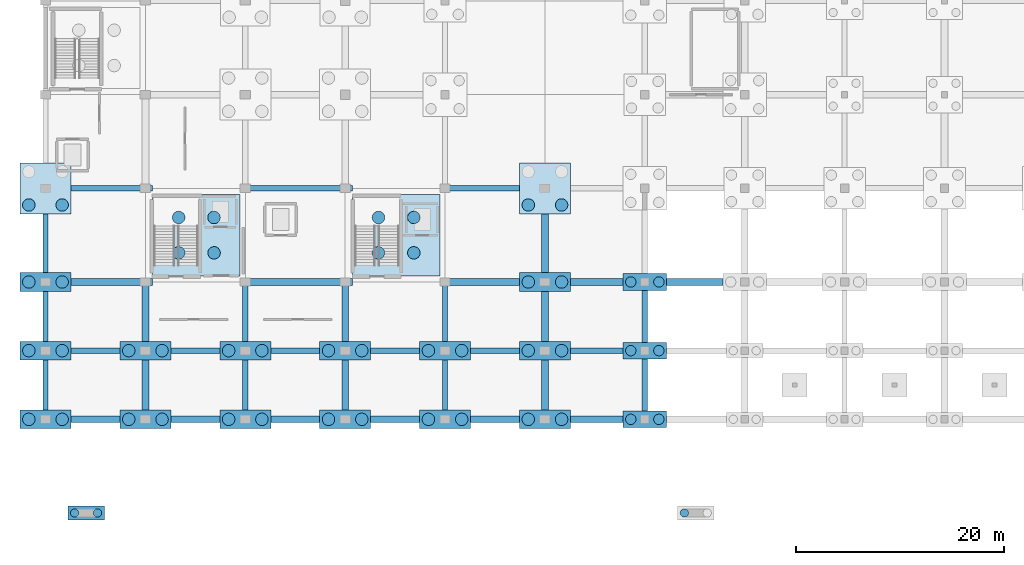
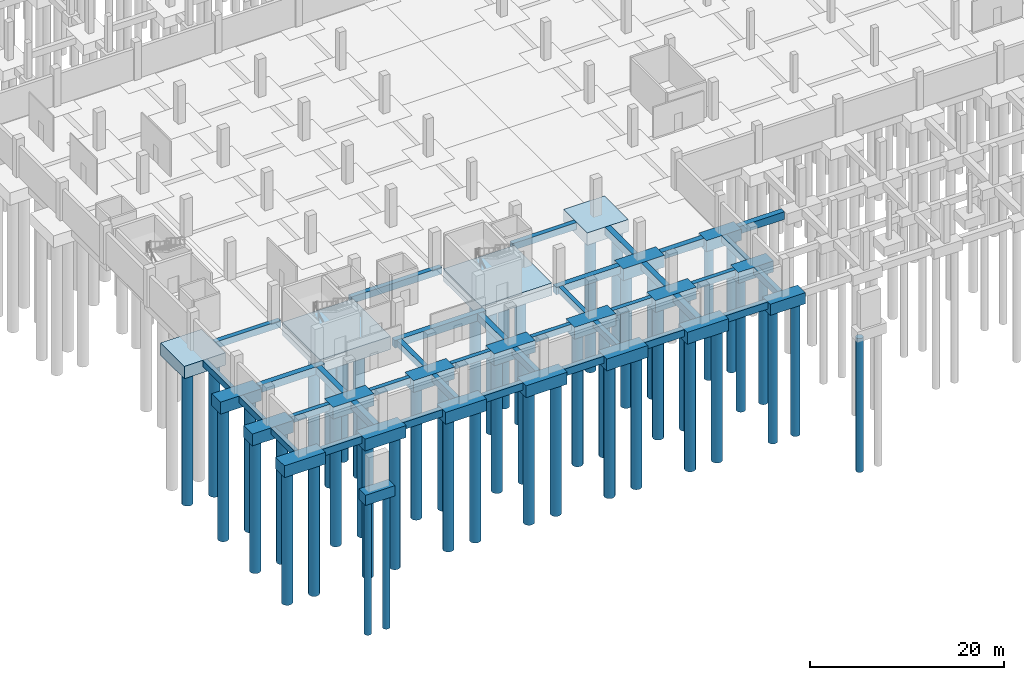
# One storey, part 1 of 39: 58 footings, 49 piles.
"""IFC4 building model written with IfcOpenShell, lengths in metres."""

import ifcopenshell
import ifcopenshell.guid

model = None  # the IFC model being written
_history = None  # IfcOwnerHistory: only IFC2X3 demands one
_inside = {}  # id of a spatial element -> (the spatial element, [elements in it])
_under = {}  # id of a project, library or spatial element -> (it, [spatial elements below it])
_declared = {}  # id of a project -> (the project, [libraries it declares])
_typed = {}  # id of a type object -> (the type object, [elements of that type])
_made_of = {}  # id of a material, layer set ... -> (it, [elements and type objects made of it])


def new_model(schema):
    """Start an empty IFC model of exactly this schema.

    Asked for "IFC4X3", IfcOpenShell would pick the latest addendum, in which some entities
    have other attributes; the version numbers below select the first issue.
    IFC2X3 requires an IfcOwnerHistory on every rooted entity: one is made here for all.
    """
    global model, _history
    if schema == "IFC4X3":
        model = ifcopenshell.file(schema_version=(4, 3, 0, 0))
    else:
        model = ifcopenshell.file(schema=schema)
    _inside.clear()
    _under.clear()
    _declared.clear()
    _typed.clear()
    _made_of.clear()
    _history = None
    if model.schema == "IFC2X3":
        org = make("IfcOrganization", Name="unknown")
        user = make(
            "IfcPersonAndOrganization",
            ThePerson=make("IfcPerson", FamilyName="unknown"),
            TheOrganization=org,
        )
        app = make(
            "IfcApplication",
            ApplicationDeveloper=org,
            Version="unknown",
            ApplicationFullName="unknown",
            ApplicationIdentifier="unknown",
        )
        _history = make(
            "IfcOwnerHistory",
            OwningUser=user,
            OwningApplication=app,
            ChangeAction="ADDED",
            CreationDate=0,
        )
    return model


def make(cls, **values):
    """One entity of the class cls with the attributes given. An attribute that is None is left unset."""
    return model.create_entity(
        cls, **{name: value for name, value in values.items() if value is not None}
    )


def rooted(cls, **values):
    """An entity with a GlobalId (a new one), such as an element, a storey or a relation."""
    return make(cls, GlobalId=ifcopenshell.guid.new(), OwnerHistory=_history, **values)


def si_unit(unit_type, name, prefix=None):
    """IfcSIUnit, for example si_unit("LENGTHUNIT", "METRE", prefix="MILLI")."""
    return make("IfcSIUnit", UnitType=unit_type, Prefix=prefix, Name=name)


def assignment(units):
    """IfcUnitAssignment: the units of a project."""
    return None if units is None else make("IfcUnitAssignment", Units=units)


def point(xyz):
    """IfcCartesianPoint."""
    return None if xyz is None else make("IfcCartesianPoint", Coordinates=xyz)


def direction(xyz):
    """IfcDirection."""
    return None if xyz is None else make("IfcDirection", DirectionRatios=xyz)


def frame(location, z_axis=None, x_axis=None):
    """IfcAxis2Placement3D, a coordinate frame: its origin and axes. An axis left out is left unset."""
    return make(
        "IfcAxis2Placement3D",
        Location=point(location),
        Axis=direction(z_axis),
        RefDirection=direction(x_axis),
    )


def frame_2d(location, x_axis=None):
    """IfcAxis2Placement2D, a coordinate frame in the plane: its origin and x axis."""
    return make(
        "IfcAxis2Placement2D", Location=point(location), RefDirection=direction(x_axis)
    )


def origin():
    """The frame at (0, 0, 0) with its axes left unset."""
    return frame((0.0, 0.0, 0.0))


def origin_2d():
    """The frame at (0, 0) in the plane with its x axis left unset."""
    return frame_2d((0.0, 0.0))


def place(relative_to, where):
    """IfcLocalPlacement: puts the frame where relative to a parent placement (None: the world)."""
    return make(
        "IfcLocalPlacement", PlacementRelTo=relative_to, RelativePlacement=where
    )


def context(
    kind, dimensions, precision=None, world=None, true_north=None, identifier=None
):
    """IfcGeometricRepresentationContext, for example the 3D "Model" context."""
    return make(
        "IfcGeometricRepresentationContext",
        ContextIdentifier=identifier,
        ContextType=kind,
        CoordinateSpaceDimension=dimensions,
        Precision=precision,
        WorldCoordinateSystem=world,
        TrueNorth=true_north,
    )


def subcontext(parent, identifier, kind, view, scale=None):
    """IfcGeometricRepresentationSubContext, for example "Body" below "Model"."""
    return make(
        "IfcGeometricRepresentationSubContext",
        ContextIdentifier=identifier,
        ContextType=kind,
        ParentContext=parent,
        TargetScale=scale,
        TargetView=view,
    )


def project(units=None, contexts=None):
    """IfcProject with its units and contexts."""
    return rooted(
        "IfcProject",
        Name="project",
        RepresentationContexts=contexts,
        UnitsInContext=assignment(units),
    )


def spatial(cls, under=None, at=None, **own):
    """A site, building, storey or space (cls), placed at a placement, below another one or the project."""
    s = rooted(cls, ObjectPlacement=at, **own)
    if under is not None:
        _under.setdefault(under.id(), (under, []))[1].append(s)
    return s


def polyline(points):
    """IfcPolyline through the points."""
    return make("IfcPolyline", Points=[point(p) for p in points])


def profile(cls, at=None, kind="AREA", **sizes):
    """A parametric profile (cls). Its sizes go by their IFC names, for example OverallWidth=200.0."""
    return make(cls, ProfileType=kind, Position=at, **sizes)


def rectangle(**sizes):
    """IfcRectangleProfileDef."""
    return profile("IfcRectangleProfileDef", **sizes)


def circle(**sizes):
    """IfcCircleProfileDef."""
    return profile("IfcCircleProfileDef", **sizes)


def outline(outer, holes=None, kind="AREA"):
    """IfcArbitraryClosedProfileDef: a profile drawn as a closed curve; with holes, ...WithVoids."""
    if holes is None:
        return make("IfcArbitraryClosedProfileDef", ProfileType=kind, OuterCurve=outer)
    return make(
        "IfcArbitraryProfileDefWithVoids",
        ProfileType=kind,
        OuterCurve=outer,
        InnerCurves=holes,
    )


def extrude(swept, where, along, depth):
    """IfcExtrudedAreaSolid: the profile swept, set in the frame where, extruded along a direction by depth."""
    return make(
        "IfcExtrudedAreaSolid",
        SweptArea=swept,
        Position=where,
        ExtrudedDirection=direction(along),
        Depth=depth,
    )


def shape(context_of_items, identifier, shape_type, items):
    """IfcShapeRepresentation: the items that make up one representation, for example the "Body"."""
    return make(
        "IfcShapeRepresentation",
        ContextOfItems=context_of_items,
        RepresentationIdentifier=identifier,
        RepresentationType=shape_type,
        Items=items,
    )


def material(Name=None, Category=None):
    """IfcMaterial."""
    return make("IfcMaterial", Name=Name, Category=Category)


def material_profile(
    of_material, cross_section, Name=None, Category=None, Priority=None
):
    """IfcMaterialProfile: a cross section and its material."""
    return make(
        "IfcMaterialProfile",
        Name=Name,
        Material=of_material,
        Profile=cross_section,
        Priority=Priority,
        Category=Category,
    )


def profile_set(profiles, Name=None, composite=None):
    """IfcMaterialProfileSet."""
    return make(
        "IfcMaterialProfileSet",
        Name=Name,
        MaterialProfiles=profiles,
        CompositeProfile=composite,
    )


def made_of(thing, what):
    """Note that an element or type object is made of a material, layer set ...; save() writes the relation."""
    if what is not None:
        _made_of.setdefault(what.id(), (what, []))[1].append(thing)
    return thing


def type_object(cls, material=None, **own):
    """A type object (cls), such as IfcWallType, which elements share."""
    return made_of(rooted(cls, **own), material)


def element(
    cls,
    number,
    at=None,
    inside=None,
    cuts=None,
    type_object=None,
    material=None,
    context=None,
    identifier="Body",
    shape_type=None,
    held_by="IfcProductDefinitionShape",
    body=None,
    shapes=None,
    **own,
):
    """One element of the class cls, such as IfcWall. Its Tag is "e" and its number.

    at: its placement. inside: the storey or other place that contains it. cuts: it is an
    opening in that element (IfcRelVoidsElement). A single representation is given by context,
    identifier, shape_type and body (its items); several are given by shapes. held_by: the class
    of the entity that holds the representations. save() writes the other relations.
    """
    e = rooted(cls, Tag="e%d" % number, ObjectPlacement=at, **own)
    if body is not None:
        shapes = [shape(context, identifier, shape_type, body)]
    if shapes is not None:
        e.Representation = make(held_by, Representations=shapes)
    if inside is not None:
        _inside.setdefault(inside.id(), (inside, []))[1].append(e)
    if cuts is not None:
        rooted(
            "IfcRelVoidsElement", RelatingBuildingElement=cuts, RelatedOpeningElement=e
        )
    if type_object is not None:
        _typed.setdefault(type_object.id(), (type_object, []))[1].append(e)
    return made_of(e, material)


def aggregate(whole, parts):
    """IfcRelAggregates: a whole, such as a stair, and the parts it consists of."""
    return rooted("IfcRelAggregates", RelatingObject=whole, RelatedObjects=parts)


def save(model, path):
    """Write the relations noted so far, then the file.

    IfcRelAggregates (storeys below a building ...), IfcRelContainedInSpatialStructure (elements
    in a storey), IfcRelDefinesByType, IfcRelAssociatesMaterial and IfcRelDeclares: one each for
    every whole, place, type object, material and project.
    """
    for whole, parts in _under.values():
        aggregate(whole, parts)
    for where, things in _inside.values():
        rooted(
            "IfcRelContainedInSpatialStructure",
            RelatedElements=things,
            RelatingStructure=where,
        )
    for kind, things in _typed.values():
        rooted("IfcRelDefinesByType", RelatedObjects=things, RelatingType=kind)
    for what, things in _made_of.values():
        rooted("IfcRelAssociatesMaterial", RelatedObjects=things, RelatingMaterial=what)
    for by, libraries in _declared.values():
        rooted("IfcRelDeclares", RelatingContext=by, RelatedDefinitions=libraries)
    model.write(path)


model = new_model("IFC4")

# Units and contexts
model_context = context("Model", 3, precision=1e-05, world=origin(), true_north=direction((0.0, 1.0)))
body_context = subcontext(model_context, "Body", "Model", "MODEL_VIEW")
ifc_project = project(units=[si_unit("LENGTHUNIT", "METRE"), si_unit("AREAUNIT", "SQUARE_METRE"), si_unit("VOLUMEUNIT", "CUBIC_METRE"), si_unit("PLANEANGLEUNIT", "RADIAN"), si_unit("MASSUNIT", "GRAM", prefix="KILO")], contexts=[model_context])

# Site, building, storey
site_placement = place(None, origin())
site = spatial("IfcSite", under=ifc_project, at=site_placement, CompositionType="ELEMENT")
building_placement = place(site_placement, origin())
building = spatial("IfcBuilding", under=site, at=building_placement, Name="Zarnetskaya Central Station", CompositionType="ELEMENT")
storey_placement = place(building_placement, frame((0.0, 0.0, -4.800048828125)))
storey = spatial("IfcBuildingStorey", under=building, at=storey_placement, Name="B1", CompositionType="ELEMENT", Elevation=-4.800048828125)

# Footings
ifc_material_1 = material(Name="Concrete C30/37", Category="concrete")
footing_type_1 = type_object("IfcFootingType", Name="FB-500x800", PredefinedType="FOOTING_BEAM", material=ifc_material_1)
footing_1_placement = place(storey_placement, frame((0.0, 0.0, -0.800048828125)))
element("IfcFooting", 1, at=footing_1_placement, inside=storey, type_object=footing_type_1, Name="Footing tie beam 2 A-B", PredefinedType="FOOTING_BEAM", context=body_context, shape_type="SweptSolid", body=[
    extrude(outline(polyline([(2.449951171875, 6.35009765625), (7.14990234375, 6.35009765625), (7.14990234375, 6.85009765625), (2.449951171875, 6.85009765625), (2.449951171875, 6.35009765625)])), origin(), (0.0, 0.0, 1.0), 0.800048828125),
])
footing_2_placement = place(storey_placement, frame((0.0, 0.0, -0.800048828125)))
element("IfcFooting", 2, at=footing_2_placement, inside=storey, type_object=footing_type_1, Name="Footing tie beam 2 B-C", PredefinedType="FOOTING_BEAM", context=body_context, shape_type="SweptSolid", body=[
    extrude(outline(polyline([(12.050048828125, 6.35009765625), (16.75, 6.35009765625), (16.75, 6.85009765625), (12.050048828125, 6.85009765625), (12.050048828125, 6.35009765625)])), origin(), (0.0, 0.0, 1.0), 0.800048828125),
])
footing_3_placement = place(storey_placement, frame((0.0, 0.0, -0.800048828125)))
element("IfcFooting", 3, at=footing_3_placement, inside=storey, type_object=footing_type_1, Name="Footing tie beam 2 C-D", PredefinedType="FOOTING_BEAM", context=body_context, shape_type="SweptSolid", body=[
    extrude(outline(polyline([(21.64990234375, 6.35009765625), (26.35009765625, 6.35009765625), (26.35009765625, 6.85009765625), (21.64990234375, 6.85009765625), (21.64990234375, 6.35009765625)])), origin(), (0.0, 0.0, 1.0), 0.800048828125),
])
footing_4_placement = place(storey_placement, frame((0.0, 0.0, -0.800048828125)))
element("IfcFooting", 4, at=footing_4_placement, inside=storey, type_object=footing_type_1, Name="Footing tie beam 2 D-E", PredefinedType="FOOTING_BEAM", context=body_context, shape_type="SweptSolid", body=[
    extrude(outline(polyline([(31.25, 6.35009765625), (35.949951171875, 6.35009765625), (35.949951171875, 6.85009765625), (31.25, 6.85009765625), (31.25, 6.35009765625)])), origin(), (0.0, 0.0, 1.0), 0.800048828125),
])
footing_5_placement = place(storey_placement, frame((0.0, 0.0, -0.800048828125)))
element("IfcFooting", 5, at=footing_5_placement, inside=storey, type_object=footing_type_1, Name="Footing tie beam 2 E-F", PredefinedType="FOOTING_BEAM", context=body_context, shape_type="SweptSolid", body=[
    extrude(outline(polyline([(40.85009765625, 6.35009765625), (45.550048828125, 6.35009765625), (45.550048828125, 6.85009765625), (40.85009765625, 6.85009765625), (40.85009765625, 6.35009765625)])), origin(), (0.0, 0.0, 1.0), 0.800048828125),
])
footing_6_placement = place(storey_placement, frame((0.0, 0.0, -0.800048828125)))
element("IfcFooting", 6, at=footing_6_placement, inside=storey, type_object=footing_type_1, Name="Footing tie beam 2 F-G", PredefinedType="FOOTING_BEAM", context=body_context, shape_type="SweptSolid", body=[
    extrude(outline(polyline([(50.449951171875, 6.35009765625), (55.5, 6.35009765625), (55.5, 6.85009765625), (50.449951171875, 6.85009765625), (50.449951171875, 6.35009765625)])), origin(), (0.0, 0.0, 1.0), 0.800048828125),
])
footing_7_placement = place(storey_placement, frame((0.0, 0.0, -0.800048828125)))
element("IfcFooting", 7, at=footing_7_placement, inside=storey, type_object=footing_type_1, Name="Footing tie beam A 1-2", PredefinedType="FOOTING_BEAM", context=body_context, shape_type="SweptSolid", body=[
    extrude(outline(polyline([(-0.25, 0.89990234375), (0.25, 0.89990234375), (0.25, 5.699951171875), (-0.25, 5.699951171875), (-0.25, 0.89990234375)])), origin(), (0.0, 0.0, 1.0), 0.800048828125),
])
footing_8_placement = place(storey_placement, frame((0.0, 0.0, -0.800048828125)))
element("IfcFooting", 8, at=footing_8_placement, inside=storey, type_object=footing_type_1, Name="Footing tie beam A 2-3", PredefinedType="FOOTING_BEAM", context=body_context, shape_type="SweptSolid", body=[
    extrude(outline(polyline([(-0.25, 7.5), (0.25, 7.5), (0.25, 12.300048828125), (-0.25, 12.300048828125), (-0.25, 7.5)])), origin(), (0.0, 0.0, 1.0), 0.800048828125),
])
footing_9_placement = place(storey_placement, frame((0.0, 0.0, -0.800048828125)))
element("IfcFooting", 9, at=footing_9_placement, inside=storey, type_object=footing_type_1, Name="Footing tie beam A 3-4", PredefinedType="FOOTING_BEAM", context=body_context, shape_type="SweptSolid", body=[
    extrude(outline(polyline([(-0.25, 14.10009765625), (0.25, 14.10009765625), (0.25, 19.75), (-0.25, 19.75), (-0.25, 14.10009765625)])), origin(), (0.0, 0.0, 1.0), 0.800048828125),
])
footing_10_placement = place(storey_placement, frame((0.0, 0.0, -0.800048828125)))
element("IfcFooting", 10, at=footing_10_placement, inside=storey, type_object=footing_type_1, Name="Footing tie beam E 1-2", PredefinedType="FOOTING_BEAM", context=body_context, shape_type="SweptSolid", body=[
    extrude(outline(polyline([(38.14990234375, 0.89990234375), (38.64990234375, 0.89990234375), (38.64990234375, 5.699951171875), (38.14990234375, 5.699951171875), (38.14990234375, 0.89990234375)])), origin(), (0.0, 0.0, 1.0), 0.800048828125),
])
footing_11_placement = place(storey_placement, frame((0.0, 0.0, -0.800048828125)))
element("IfcFooting", 11, at=footing_11_placement, inside=storey, type_object=footing_type_1, Name="Footing tie beam E 2-3", PredefinedType="FOOTING_BEAM", context=body_context, shape_type="SweptSolid", body=[
    extrude(outline(polyline([(38.14990234375, 7.5), (38.64990234375, 7.5), (38.64990234375, 12.875), (38.14990234375, 12.875), (38.14990234375, 7.5)])), origin(), (0.0, 0.0, 1.0), 0.800048828125),
])
footing_type_2 = type_object("IfcFootingType", Name="FB-550x850", PredefinedType="FOOTING_BEAM", material=ifc_material_1)
footing_12_placement = place(storey_placement, frame((0.0, 0.0, -0.849853515625)))
element("IfcFooting", 12, at=footing_12_placement, inside=storey, type_object=footing_type_2, Name="Footing tie beam 4 A-B", PredefinedType="FOOTING_BEAM", context=body_context, shape_type="SweptSolid", body=[
    extrude(outline(polyline([(2.449951171875, 21.925048828125), (10.300048828125, 21.925048828125), (10.300048828125, 22.47509765625), (2.449951171875, 22.47509765625), (2.449951171875, 21.925048828125)])), origin(), (0.0, 0.0, 1.0), 0.849853515625),
])
footing_13_placement = place(storey_placement, frame((0.0, 0.0, -0.849853515625)))
element("IfcFooting", 13, at=footing_13_placement, inside=storey, type_object=footing_type_2, Name="Footing tie beam 4 C-D", PredefinedType="FOOTING_BEAM", context=body_context, shape_type="SweptSolid", body=[
    extrude(outline(polyline([(18.699951171875, 21.925048828125), (29.5, 21.925048828125), (29.5, 22.47509765625), (18.699951171875, 22.47509765625), (18.699951171875, 21.925048828125)])), origin(), (0.0, 0.0, 1.0), 0.849853515625),
])
footing_14_placement = place(storey_placement, frame((0.0, 0.0, -0.849853515625)))
element("IfcFooting", 14, at=footing_14_placement, inside=storey, type_object=footing_type_2, Name="Footing tie beam 4 E-F", PredefinedType="FOOTING_BEAM", context=body_context, shape_type="SweptSolid", body=[
    extrude(outline(polyline([(37.89990234375, 21.925048828125), (45.550048828125, 21.925048828125), (45.550048828125, 22.47509765625), (37.89990234375, 22.47509765625), (37.89990234375, 21.925048828125)])), origin(), (0.0, 0.0, 1.0), 0.849853515625),
])
footing_15_placement = place(storey_placement, frame((0.0, 0.0, -0.849853515625)))
element("IfcFooting", 15, at=footing_15_placement, inside=storey, type_object=footing_type_2, Name="Footing tie beam C 1-2", PredefinedType="FOOTING_BEAM", context=body_context, shape_type="SweptSolid", body=[
    extrude(outline(polyline([(18.925048828125, 0.89990234375), (19.47509765625, 0.89990234375), (19.47509765625, 5.699951171875), (18.925048828125, 5.699951171875), (18.925048828125, 0.89990234375)])), origin(), (0.0, 0.0, 1.0), 0.849853515625),
])
footing_16_placement = place(storey_placement, frame((0.0, 0.0, -0.849853515625)))
element("IfcFooting", 16, at=footing_16_placement, inside=storey, type_object=footing_type_2, Name="Footing tie beam C 2-3", PredefinedType="FOOTING_BEAM", context=body_context, shape_type="SweptSolid", body=[
    extrude(outline(polyline([(18.925048828125, 7.5), (19.47509765625, 7.5), (19.47509765625, 12.875), (18.925048828125, 12.875), (18.925048828125, 7.5)])), origin(), (0.0, 0.0, 1.0), 0.849853515625),
])
footing_17_placement = place(storey_placement, frame((0.0, 0.0, -0.849853515625)))
element("IfcFooting", 17, at=footing_17_placement, inside=storey, type_object=footing_type_2, Name="Footing tie beam G 1-2", PredefinedType="FOOTING_BEAM", context=body_context, shape_type="SweptSolid", body=[
    extrude(outline(polyline([(57.324951171875, 0.800048828125), (57.875, 0.800048828125), (57.875, 5.800048828125), (57.324951171875, 5.800048828125), (57.324951171875, 0.800048828125)])), origin(), (0.0, 0.0, 1.0), 0.849853515625),
])
footing_18_placement = place(storey_placement, frame((0.0, 0.0, -0.849853515625)))
element("IfcFooting", 18, at=footing_18_placement, inside=storey, type_object=footing_type_2, Name="Footing tie beam G 2-3", PredefinedType="FOOTING_BEAM", context=body_context, shape_type="SweptSolid", body=[
    extrude(outline(polyline([(57.324951171875, 7.39990234375), (57.875, 7.39990234375), (57.875, 12.39990234375), (57.324951171875, 12.39990234375), (57.324951171875, 7.39990234375)])), origin(), (0.0, 0.0, 1.0), 0.849853515625),
])
footing_type_3 = type_object("IfcFootingType", Name="FB-600x900", PredefinedType="FOOTING_BEAM", material=ifc_material_1)
footing_19_placement = place(storey_placement, frame((0.0, 0.0, -0.89990234375)))
element("IfcFooting", 19, at=footing_19_placement, inside=storey, type_object=footing_type_3, Name="Footing tie beam 1 A-B", PredefinedType="FOOTING_BEAM", context=body_context, shape_type="SweptSolid", body=[
    extrude(outline(polyline([(2.449951171875, -0.300048828125), (7.14990234375, -0.300048828125), (7.14990234375, 0.300048828125), (2.449951171875, 0.300048828125), (2.449951171875, -0.300048828125)])), origin(), (0.0, 0.0, 1.0), 0.89990234375),
])
footing_20_placement = place(storey_placement, frame((0.0, 0.0, -0.89990234375)))
element("IfcFooting", 20, at=footing_20_placement, inside=storey, type_object=footing_type_3, Name="Footing tie beam 1 B-C", PredefinedType="FOOTING_BEAM", context=body_context, shape_type="SweptSolid", body=[
    extrude(outline(polyline([(12.050048828125, -0.300048828125), (16.75, -0.300048828125), (16.75, 0.300048828125), (12.050048828125, 0.300048828125), (12.050048828125, -0.300048828125)])), origin(), (0.0, 0.0, 1.0), 0.89990234375),
])
footing_21_placement = place(storey_placement, frame((0.0, 0.0, -0.89990234375)))
element("IfcFooting", 21, at=footing_21_placement, inside=storey, type_object=footing_type_3, Name="Footing tie beam 1 C-D", PredefinedType="FOOTING_BEAM", context=body_context, shape_type="SweptSolid", body=[
    extrude(outline(polyline([(21.64990234375, -0.300048828125), (26.35009765625, -0.300048828125), (26.35009765625, 0.300048828125), (21.64990234375, 0.300048828125), (21.64990234375, -0.300048828125)])), origin(), (0.0, 0.0, 1.0), 0.89990234375),
])
footing_22_placement = place(storey_placement, frame((0.0, 0.0, -0.89990234375)))
element("IfcFooting", 22, at=footing_22_placement, inside=storey, type_object=footing_type_3, Name="Footing tie beam 1 D-E", PredefinedType="FOOTING_BEAM", context=body_context, shape_type="SweptSolid", body=[
    extrude(outline(polyline([(31.25, -0.300048828125), (35.949951171875, -0.300048828125), (35.949951171875, 0.300048828125), (31.25, 0.300048828125), (31.25, -0.300048828125)])), origin(), (0.0, 0.0, 1.0), 0.89990234375),
])
footing_23_placement = place(storey_placement, frame((0.0, 0.0, -0.89990234375)))
element("IfcFooting", 23, at=footing_23_placement, inside=storey, type_object=footing_type_3, Name="Footing tie beam 1 E-F", PredefinedType="FOOTING_BEAM", context=body_context, shape_type="SweptSolid", body=[
    extrude(outline(polyline([(40.85009765625, -0.300048828125), (45.550048828125, -0.300048828125), (45.550048828125, 0.300048828125), (40.85009765625, 0.300048828125), (40.85009765625, -0.300048828125)])), origin(), (0.0, 0.0, 1.0), 0.89990234375),
])
footing_24_placement = place(storey_placement, frame((0.0, 0.0, -0.89990234375)))
element("IfcFooting", 24, at=footing_24_placement, inside=storey, type_object=footing_type_3, Name="Footing tie beam 1 F-G", PredefinedType="FOOTING_BEAM", context=body_context, shape_type="SweptSolid", body=[
    extrude(outline(polyline([(50.449951171875, -0.300048828125), (55.5, -0.300048828125), (55.5, 0.300048828125), (50.449951171875, 0.300048828125), (50.449951171875, -0.300048828125)])), origin(), (0.0, 0.0, 1.0), 0.89990234375),
])
footing_25_placement = place(storey_placement, frame((0.0, 0.0, -0.89990234375)))
element("IfcFooting", 25, at=footing_25_placement, inside=storey, type_object=footing_type_3, Name="Footing tie beam D 1-2", PredefinedType="FOOTING_BEAM", context=body_context, shape_type="SweptSolid", body=[
    extrude(outline(polyline([(28.5, 0.89990234375), (29.10009765625, 0.89990234375), (29.10009765625, 5.699951171875), (28.5, 5.699951171875), (28.5, 0.89990234375)])), origin(), (0.0, 0.0, 1.0), 0.89990234375),
])
footing_26_placement = place(storey_placement, frame((0.0, 0.0, -0.89990234375)))
element("IfcFooting", 26, at=footing_26_placement, inside=storey, type_object=footing_type_3, Name="Footing tie beam D 2-3", PredefinedType="FOOTING_BEAM", context=body_context, shape_type="SweptSolid", body=[
    extrude(outline(polyline([(28.5, 7.5), (29.10009765625, 7.5), (29.10009765625, 12.875), (28.5, 12.875), (28.5, 7.5)])), origin(), (0.0, 0.0, 1.0), 0.89990234375),
])
footing_type_4 = type_object("IfcFootingType", Name="FB-650x950", PredefinedType="FOOTING_BEAM", material=ifc_material_1)
footing_27_placement = place(storey_placement, frame((0.0, 0.0, -0.949951171875)))
element("IfcFooting", 27, at=footing_27_placement, inside=storey, type_object=footing_type_4, Name="Footing tie beam 3 A-B", PredefinedType="FOOTING_BEAM", context=body_context, shape_type="SweptSolid", body=[
    extrude(outline(polyline([(2.449951171875, 12.875), (10.300048828125, 12.875), (10.300048828125, 13.52490234375), (2.449951171875, 13.52490234375), (2.449951171875, 12.875)])), origin(), (0.0, 0.0, 1.0), 0.949951171875),
])
footing_28_placement = place(storey_placement, frame((0.0, 0.0, -0.949951171875)))
element("IfcFooting", 28, at=footing_28_placement, inside=storey, type_object=footing_type_4, Name="Footing tie beam 3 C-D", PredefinedType="FOOTING_BEAM", context=body_context, shape_type="SweptSolid", body=[
    extrude(outline(polyline([(18.699951171875, 12.875), (29.5, 12.875), (29.5, 13.52490234375), (18.699951171875, 13.52490234375), (18.699951171875, 12.875)])), origin(), (0.0, 0.0, 1.0), 0.949951171875),
])
footing_29_placement = place(storey_placement, frame((0.0, 0.0, -0.949951171875)))
element("IfcFooting", 29, at=footing_29_placement, inside=storey, type_object=footing_type_4, Name="Footing tie beam 3 E-F", PredefinedType="FOOTING_BEAM", context=body_context, shape_type="SweptSolid", body=[
    extrude(outline(polyline([(37.89990234375, 12.875), (45.550048828125, 12.875), (45.550048828125, 13.52490234375), (37.89990234375, 13.52490234375), (37.89990234375, 12.875)])), origin(), (0.0, 0.0, 1.0), 0.949951171875),
])
footing_30_placement = place(storey_placement, frame((0.0, 0.0, -0.949951171875)))
element("IfcFooting", 30, at=footing_30_placement, inside=storey, type_object=footing_type_4, Name="Footing tie beam 3 F-G", PredefinedType="FOOTING_BEAM", context=body_context, shape_type="SweptSolid", body=[
    extrude(outline(polyline([(50.449951171875, 12.875), (55.5, 12.875), (55.5, 13.52490234375), (50.449951171875, 13.52490234375), (50.449951171875, 12.875)])), origin(), (0.0, 0.0, 1.0), 0.949951171875),
])
footing_31_placement = place(storey_placement, frame((0.0, 0.0, -0.949951171875)))
element("IfcFooting", 31, at=footing_31_placement, inside=storey, type_object=footing_type_4, Name="Footing tie beam 3 G-H", PredefinedType="FOOTING_BEAM", context=body_context, shape_type="SweptSolid", body=[
    extrude(outline(polyline([(59.699951171875, 12.875), (65.10009765625, 12.875), (65.10009765625, 13.52490234375), (59.699951171875, 13.52490234375), (59.699951171875, 12.875)])), origin(), (0.0, 0.0, 1.0), 0.949951171875),
])
footing_32_placement = place(storey_placement, frame((0.0, 0.0, -0.949951171875)))
element("IfcFooting", 32, at=footing_32_placement, inside=storey, type_object=footing_type_4, Name="Footing tie beam B 1-2", PredefinedType="FOOTING_BEAM", context=body_context, shape_type="SweptSolid", body=[
    extrude(outline(polyline([(9.27490234375, 0.89990234375), (9.925048828125, 0.89990234375), (9.925048828125, 5.699951171875), (9.27490234375, 5.699951171875), (9.27490234375, 0.89990234375)])), origin(), (0.0, 0.0, 1.0), 0.949951171875),
])
footing_33_placement = place(storey_placement, frame((0.0, 0.0, -0.949951171875)))
element("IfcFooting", 33, at=footing_33_placement, inside=storey, type_object=footing_type_4, Name="Footing tie beam B 2-3", PredefinedType="FOOTING_BEAM", context=body_context, shape_type="SweptSolid", body=[
    extrude(outline(polyline([(9.27490234375, 7.5), (9.925048828125, 7.5), (9.925048828125, 12.875), (9.27490234375, 12.875), (9.27490234375, 7.5)])), origin(), (0.0, 0.0, 1.0), 0.949951171875),
])
footing_34_placement = place(storey_placement, frame((0.0, 0.0, -0.949951171875)))
element("IfcFooting", 34, at=footing_34_placement, inside=storey, type_object=footing_type_4, Name="Footing tie beam F 1-2", PredefinedType="FOOTING_BEAM", context=body_context, shape_type="SweptSolid", body=[
    extrude(outline(polyline([(47.675048828125, 0.89990234375), (48.324951171875, 0.89990234375), (48.324951171875, 5.699951171875), (47.675048828125, 5.699951171875), (47.675048828125, 0.89990234375)])), origin(), (0.0, 0.0, 1.0), 0.949951171875),
])
footing_35_placement = place(storey_placement, frame((0.0, 0.0, -0.949951171875)))
element("IfcFooting", 35, at=footing_35_placement, inside=storey, type_object=footing_type_4, Name="Footing tie beam F 2-3", PredefinedType="FOOTING_BEAM", context=body_context, shape_type="SweptSolid", body=[
    extrude(outline(polyline([(47.675048828125, 7.5), (48.324951171875, 7.5), (48.324951171875, 12.300048828125), (47.675048828125, 12.300048828125), (47.675048828125, 7.5)])), origin(), (0.0, 0.0, 1.0), 0.949951171875),
])
footing_36_placement = place(storey_placement, frame((0.0, 0.0, -0.949951171875)))
element("IfcFooting", 36, at=footing_36_placement, inside=storey, type_object=footing_type_4, Name="Footing tie beam F 3-4", PredefinedType="FOOTING_BEAM", context=body_context, shape_type="SweptSolid", body=[
    extrude(outline(polyline([(47.675048828125, 14.10009765625), (48.324951171875, 14.10009765625), (48.324951171875, 19.75), (47.675048828125, 19.75), (47.675048828125, 14.10009765625)])), origin(), (0.0, 0.0, 1.0), 0.949951171875),
])
ifc_material_2 = material(Name="Concrete C35/45", Category="concrete")
footing_type_5 = type_object("IfcFootingType", Name="PC-2P-1000X", PredefinedType="PILE_CAP", material=ifc_material_2)
for number, where, z_axis, x_axis, name in (
    (37, (57.60009765625, 0.0, -1.39990234375), (0.0, 0.0, 1.0), (1.0, 0.0, 0.0), "Pile cap G1"),
    (38, (57.60009765625, 6.60009765625, -1.39990234375), (0.0, 0.0, 1.0), (1.0, 0.0, 0.0), "Pile cap G2"),
    (39, (57.60009765625, 13.199951171875, -1.39990234375), (0.0, 0.0, 1.0), (1.0, 0.0, 0.0), "Pile cap G3"),
):
    element("IfcFooting", number, at=place(storey_placement, frame(where, z_axis=z_axis, x_axis=x_axis)), inside=storey, type_object=footing_type_5, Name=name, PredefinedType="PILE_CAP", context=body_context, shape_type="SweptSolid", body=[
        extrude(rectangle(XDim=4.199951171875, YDim=1.60009765625, at=origin_2d()), origin(), (0.0, 0.0, 1.0), 1.39990234375),
    ])
footing_type_6 = type_object("IfcFootingType", Name="PC-2P-1200X", PredefinedType="PILE_CAP", material=ifc_material_2)
for number, where, z_axis, x_axis, name in (
    (40, (0.0, 0.0, -1.5), (0.0, 0.0, 1.0), (1.0, 0.0, 0.0), "Pile cap A1"),
    (41, (0.0, 6.60009765625, -1.5), (0.0, 0.0, 1.0), (1.0, 0.0, 0.0), "Pile cap A2"),
    (42, (0.0, 13.199951171875, -1.5), (0.0, 0.0, 1.0), (1.0, 0.0, 0.0), "Pile cap A3"),
    (43, (9.60009765625, 0.0, -1.5), (0.0, 0.0, 1.0), (1.0, 0.0, 0.0), "Pile cap B1"),
    (44, (9.60009765625, 6.60009765625, -1.5), (0.0, 0.0, 1.0), (1.0, 0.0, 0.0), "Pile cap B2"),
    (45, (19.199951171875, 0.0, -1.5), (0.0, 0.0, 1.0), (1.0, 0.0, 0.0), "Pile cap C1"),
    (46, (19.199951171875, 6.60009765625, -1.5), (0.0, 0.0, 1.0), (1.0, 0.0, 0.0), "Pile cap C2"),
    (47, (28.800048828125, 0.0, -1.5), (0.0, 0.0, 1.0), (1.0, 0.0, 0.0), "Pile cap D1"),
    (48, (28.800048828125, 6.60009765625, -1.5), (0.0, 0.0, 1.0), (1.0, 0.0, 0.0), "Pile cap D2"),
    (49, (38.39990234375, 0.0, -1.5), (0.0, 0.0, 1.0), (1.0, 0.0, 0.0), "Pile cap E1"),
    (50, (38.39990234375, 6.60009765625, -1.5), (0.0, 0.0, 1.0), (1.0, 0.0, 0.0), "Pile cap E2"),
    (51, (48.0, 0.0, -1.5), (0.0, 0.0, 1.0), (1.0, 0.0, 0.0), "Pile cap F1"),
    (52, (48.0, 6.60009765625, -1.5), (0.0, 0.0, 1.0), (1.0, 0.0, 0.0), "Pile cap F2"),
    (53, (48.0, 13.199951171875, -1.5), (0.0, 0.0, 1.0), (1.0, 0.0, 0.0), "Pile cap F3"),
):
    element("IfcFooting", number, at=place(storey_placement, frame(where, z_axis=z_axis, x_axis=x_axis)), inside=storey, type_object=footing_type_6, Name=name, PredefinedType="PILE_CAP", context=body_context, shape_type="SweptSolid", body=[
        extrude(rectangle(XDim=4.89990234375, YDim=1.800048828125, at=origin_2d()), origin(), (0.0, 0.0, 1.0), 1.5),
    ])
footing_type_7 = type_object("IfcFootingType", Name="PC-2P-800X", PredefinedType="PILE_CAP", material=ifc_material_2)
footing_37_placement = place(storey_placement, frame((3.89990234375, -9.0, -1.2998046875), z_axis=(0.0, 0.0, 1.0), x_axis=(1.0, 0.0, 0.0)))
element("IfcFooting", 54, at=footing_37_placement, inside=storey, type_object=footing_type_7, Name="Ramp pier two-pile cap RM-01", PredefinedType="PILE_CAP", context=body_context, shape_type="SweptSolid", body=[
    extrude(rectangle(XDim=3.5, YDim=1.35009765625, at=origin_2d()), origin(), (0.0, 0.0, 1.0), 1.300048828125),
])
footing_type_8 = type_object("IfcFootingType", Name="PC-4P-1200A", PredefinedType="PILE_CAP", material=ifc_material_2)
for number, where, z_axis, x_axis, name in (
    (55, (0.0, 22.199951171875, -1.5498046875), (0.0, 0.0, 1.0), (1.0, 0.0, 0.0), "Pile cap A4"),
    (56, (48.0, 22.199951171875, -1.5498046875), (0.0, 0.0, 1.0), (1.0, 0.0, 0.0), "Pile cap F4"),
):
    element("IfcFooting", number, at=place(storey_placement, frame(where, z_axis=z_axis, x_axis=x_axis)), inside=storey, type_object=footing_type_8, Name=name, PredefinedType="PILE_CAP", context=body_context, shape_type="SweptSolid", body=[
        extrude(rectangle(XDim=4.89990234375, YDim=4.89990234375, at=origin_2d()), origin(), (0.0, 0.0, 1.0), 1.550048828125),
    ])
footing_type_9 = type_object("IfcFootingType", Name="PC-CORE-C1", PredefinedType="PILE_CAP", material=ifc_material_2)
footing_38_placement = place(storey_placement, frame((14.5, 17.699951171875, -1.64990234375), z_axis=(0.0, 0.0, 1.0), x_axis=(1.0, 0.0, 0.0)))
element("IfcFooting", 57, at=footing_38_placement, inside=storey, type_object=footing_type_9, Name="Core C1 combined pile cap", PredefinedType="PILE_CAP", context=body_context, shape_type="SweptSolid", body=[
    extrude(rectangle(XDim=8.39990234375, YDim=7.800048828125, at=origin_2d()), origin(), (0.0, 0.0, 1.0), 1.64990234375),
])
footing_type_10 = type_object("IfcFootingType", Name="PC-CORE-C3", PredefinedType="PILE_CAP", material=ifc_material_2)
footing_39_placement = place(storey_placement, frame((33.699951171875, 17.699951171875, -1.5498046875), z_axis=(0.0, 0.0, 1.0), x_axis=(1.0, 0.0, 0.0)))
element("IfcFooting", 58, at=footing_39_placement, inside=storey, type_object=footing_type_10, Name="Core C3 combined pile cap", PredefinedType="PILE_CAP", context=body_context, shape_type="SweptSolid", body=[
    extrude(rectangle(XDim=8.39990234375, YDim=7.800048828125, at=origin_2d()), origin(), (0.0, 0.0, 1.0), 1.550048828125),
])

# Piles
ifc_material_profile_1 = material_profile(ifc_material_2, circle(Radius=0.5, at=origin_2d()), Name="BORED PILE D1000")
ifc_profile_set_1 = profile_set([ifc_material_profile_1], Name="Concrete C35/45")
pile_type_1 = type_object("IfcPileType", Name="PILE-D1000", PredefinedType="BORED", material=ifc_profile_set_1)
for number, where, z_axis, x_axis, name in (
    (59, (56.25, 0.0, -1.25), (0.0, 0.0, -1.0), (1.0, 0.0, 0.0), "Bored pile G1-11"),
    (60, (58.949951171875, 0.0, -1.25), (0.0, 0.0, -1.0), (1.0, 0.0, 0.0), "Bored pile G1-21"),
    (61, (56.25, 6.60009765625, -1.25), (0.0, 0.0, -1.0), (1.0, 0.0, 0.0), "Bored pile G2-11"),
    (62, (58.949951171875, 6.60009765625, -1.25), (0.0, 0.0, -1.0), (1.0, 0.0, 0.0), "Bored pile G2-21"),
    (63, (56.25, 13.199951171875, -1.25), (0.0, 0.0, -1.0), (1.0, 0.0, 0.0), "Bored pile G3-11"),
    (64, (58.949951171875, 13.199951171875, -1.25), (0.0, 0.0, -1.0), (1.0, 0.0, 0.0), "Bored pile G3-21"),
):
    element("IfcPile", number, at=place(storey_placement, frame(where, z_axis=z_axis, x_axis=x_axis)), inside=storey, type_object=pile_type_1, Name=name, PredefinedType="BORED", context=body_context, shape_type="SweptSolid", body=[
        extrude(circle(Radius=0.5, at=origin_2d()), origin(), (0.0, 0.0, 1.0), 16.75),
    ])
ifc_material_profile_2 = material_profile(ifc_material_2, circle(Radius=0.60009765625, at=origin_2d()), Name="BORED PILE D1200")
ifc_profile_set_2 = profile_set([ifc_material_profile_2], Name="Concrete C35/45")
pile_type_2 = type_object("IfcPileType", Name="PILE-D1200", PredefinedType="BORED", material=ifc_profile_set_2)
for number, where, z_axis, x_axis, name in (
    (65, (12.800048828125, 16.0, -1.5), (0.0, 0.0, -1.0), (1.0, 0.0, 0.0), "Bored pile C1-11"),
    (66, (12.800048828125, 19.39990234375, -1.5), (0.0, 0.0, -1.0), (1.0, 0.0, 0.0), "Bored pile C1-12"),
    (67, (16.199951171875, 16.0, -1.5), (0.0, 0.0, -1.0), (1.0, 0.0, 0.0), "Bored pile C1-21"),
    (68, (16.199951171875, 19.39990234375, -1.5), (0.0, 0.0, -1.0), (1.0, 0.0, 0.0), "Bored pile C1-22"),
):
    element("IfcPile", number, at=place(storey_placement, frame(where, z_axis=z_axis, x_axis=x_axis)), inside=storey, type_object=pile_type_2, Name=name, PredefinedType="BORED", context=body_context, shape_type="SweptSolid", body=[
        extrude(circle(Radius=0.60009765625, at=origin_2d()), origin(), (0.0, 0.0, 1.0), 16.5),
    ])
for number, where, z_axis, x_axis, name in (
    (69, (32.0, 16.0, -1.39990234375), (0.0, 0.0, -1.0), (1.0, 0.0, 0.0), "Bored pile C3-11"),
    (70, (32.0, 19.39990234375, -1.39990234375), (0.0, 0.0, -1.0), (1.0, 0.0, 0.0), "Bored pile C3-12"),
    (71, (35.39990234375, 16.0, -1.39990234375), (0.0, 0.0, -1.0), (1.0, 0.0, 0.0), "Bored pile C3-21"),
    (72, (35.39990234375, 19.39990234375, -1.39990234375), (0.0, 0.0, -1.0), (1.0, 0.0, 0.0), "Bored pile C3-22"),
):
    element("IfcPile", number, at=place(storey_placement, frame(where, z_axis=z_axis, x_axis=x_axis)), inside=storey, type_object=pile_type_2, Name=name, PredefinedType="BORED", context=body_context, shape_type="SweptSolid", body=[
        extrude(circle(Radius=0.60009765625, at=origin_2d()), origin(), (0.0, 0.0, 1.0), 16.60009765625),
    ])
for number, where, z_axis, x_axis, name in (
    (73, (-1.60009765625, 0.0, -1.349853515625), (0.0, 0.0, -1.0), (1.0, 0.0, 0.0), "Bored pile A1-11"),
    (74, (1.60009765625, 0.0, -1.349853515625), (0.0, 0.0, -1.0), (1.0, 0.0, 0.0), "Bored pile A1-21"),
    (75, (-1.60009765625, 6.60009765625, -1.349853515625), (0.0, 0.0, -1.0), (1.0, 0.0, 0.0), "Bored pile A2-11"),
    (76, (1.60009765625, 6.60009765625, -1.349853515625), (0.0, 0.0, -1.0), (1.0, 0.0, 0.0), "Bored pile A2-21"),
    (77, (-1.60009765625, 13.199951171875, -1.349853515625), (0.0, 0.0, -1.0), (1.0, 0.0, 0.0), "Bored pile A3-11"),
    (78, (1.60009765625, 13.199951171875, -1.349853515625), (0.0, 0.0, -1.0), (1.0, 0.0, 0.0), "Bored pile A3-21"),
):
    element("IfcPile", number, at=place(storey_placement, frame(where, z_axis=z_axis, x_axis=x_axis)), inside=storey, type_object=pile_type_2, Name=name, PredefinedType="BORED", context=body_context, shape_type="SweptSolid", body=[
        extrude(circle(Radius=0.60009765625, at=origin_2d()), origin(), (0.0, 0.0, 1.0), 16.64990234375),
    ])
for number, where, z_axis, x_axis, name in (
    (79, (-1.60009765625, 20.60009765625, -1.39990234375), (0.0, 0.0, -1.0), (1.0, 0.0, 0.0), "Bored pile A4-11"),
    (80, (1.60009765625, 20.60009765625, -1.39990234375), (0.0, 0.0, -1.0), (1.0, 0.0, 0.0), "Bored pile A4-21"),
):
    element("IfcPile", number, at=place(storey_placement, frame(where, z_axis=z_axis, x_axis=x_axis)), inside=storey, type_object=pile_type_2, Name=name, PredefinedType="BORED", context=body_context, shape_type="SweptSolid", body=[
        extrude(circle(Radius=0.60009765625, at=origin_2d()), origin(), (0.0, 0.0, 1.0), 16.60009765625),
    ])
for number, where, z_axis, x_axis, name in (
    (81, (8.0, 0.0, -1.349853515625), (0.0, 0.0, -1.0), (1.0, 0.0, 0.0), "Bored pile B1-11"),
    (82, (11.199951171875, 0.0, -1.349853515625), (0.0, 0.0, -1.0), (1.0, 0.0, 0.0), "Bored pile B1-21"),
    (83, (8.0, 6.60009765625, -1.349853515625), (0.0, 0.0, -1.0), (1.0, 0.0, 0.0), "Bored pile B2-11"),
    (84, (11.199951171875, 6.60009765625, -1.349853515625), (0.0, 0.0, -1.0), (1.0, 0.0, 0.0), "Bored pile B2-21"),
    (85, (17.60009765625, 0.0, -1.349853515625), (0.0, 0.0, -1.0), (1.0, 0.0, 0.0), "Bored pile C1-11"),
    (86, (20.800048828125, 0.0, -1.349853515625), (0.0, 0.0, -1.0), (1.0, 0.0, 0.0), "Bored pile C1-21"),
    (87, (17.60009765625, 6.60009765625, -1.349853515625), (0.0, 0.0, -1.0), (1.0, 0.0, 0.0), "Bored pile C2-11"),
    (88, (20.800048828125, 6.60009765625, -1.349853515625), (0.0, 0.0, -1.0), (1.0, 0.0, 0.0), "Bored pile C2-21"),
    (89, (27.199951171875, 0.0, -1.349853515625), (0.0, 0.0, -1.0), (1.0, 0.0, 0.0), "Bored pile D1-11"),
    (90, (30.39990234375, 0.0, -1.349853515625), (0.0, 0.0, -1.0), (1.0, 0.0, 0.0), "Bored pile D1-21"),
    (91, (27.199951171875, 6.60009765625, -1.349853515625), (0.0, 0.0, -1.0), (1.0, 0.0, 0.0), "Bored pile D2-11"),
    (92, (30.39990234375, 6.60009765625, -1.349853515625), (0.0, 0.0, -1.0), (1.0, 0.0, 0.0), "Bored pile D2-21"),
    (93, (36.800048828125, 0.0, -1.349853515625), (0.0, 0.0, -1.0), (1.0, 0.0, 0.0), "Bored pile E1-11"),
    (94, (40.0, 0.0, -1.349853515625), (0.0, 0.0, -1.0), (1.0, 0.0, 0.0), "Bored pile E1-21"),
    (95, (36.800048828125, 6.60009765625, -1.349853515625), (0.0, 0.0, -1.0), (1.0, 0.0, 0.0), "Bored pile E2-11"),
    (96, (40.0, 6.60009765625, -1.349853515625), (0.0, 0.0, -1.0), (1.0, 0.0, 0.0), "Bored pile E2-21"),
    (97, (46.39990234375, 0.0, -1.349853515625), (0.0, 0.0, -1.0), (1.0, 0.0, 0.0), "Bored pile F1-11"),
    (98, (49.60009765625, 0.0, -1.349853515625), (0.0, 0.0, -1.0), (1.0, 0.0, 0.0), "Bored pile F1-21"),
    (99, (46.39990234375, 6.60009765625, -1.349853515625), (0.0, 0.0, -1.0), (1.0, 0.0, 0.0), "Bored pile F2-11"),
    (100, (49.60009765625, 6.60009765625, -1.349853515625), (0.0, 0.0, -1.0), (1.0, 0.0, 0.0), "Bored pile F2-21"),
    (101, (46.39990234375, 13.199951171875, -1.349853515625), (0.0, 0.0, -1.0), (1.0, 0.0, 0.0), "Bored pile F3-11"),
    (102, (49.60009765625, 13.199951171875, -1.349853515625), (0.0, 0.0, -1.0), (1.0, 0.0, 0.0), "Bored pile F3-21"),
):
    element("IfcPile", number, at=place(storey_placement, frame(where, z_axis=z_axis, x_axis=x_axis)), inside=storey, type_object=pile_type_2, Name=name, PredefinedType="BORED", context=body_context, shape_type="SweptSolid", body=[
        extrude(circle(Radius=0.60009765625, at=origin_2d()), origin(), (0.0, 0.0, 1.0), 16.64990234375),
    ])
for number, where, z_axis, x_axis, name in (
    (103, (46.39990234375, 20.60009765625, -1.39990234375), (0.0, 0.0, -1.0), (1.0, 0.0, 0.0), "Bored pile F4-11"),
    (104, (49.60009765625, 20.60009765625, -1.39990234375), (0.0, 0.0, -1.0), (1.0, 0.0, 0.0), "Bored pile F4-21"),
):
    element("IfcPile", number, at=place(storey_placement, frame(where, z_axis=z_axis, x_axis=x_axis)), inside=storey, type_object=pile_type_2, Name=name, PredefinedType="BORED", context=body_context, shape_type="SweptSolid", body=[
        extrude(circle(Radius=0.60009765625, at=origin_2d()), origin(), (0.0, 0.0, 1.0), 16.60009765625),
    ])
ifc_material_profile_3 = material_profile(ifc_material_2, circle(Radius=0.39990234375, at=origin_2d()), Name="BORED PILE D800")
ifc_profile_set_3 = profile_set([ifc_material_profile_3], Name="Concrete C35/45")
pile_type_3 = type_object("IfcPileType", Name="PILE-D800", PredefinedType="BORED", material=ifc_profile_set_3)
for number, where, z_axis, x_axis, name in (
    (105, (2.800048828125, -9.0, -1.14990234375), (0.0, 0.0, -1.0), (1.0, 0.0, 0.0), "Ramp pier socketed bored pile RM-01-1"),
    (106, (5.0, -9.0, -1.14990234375), (0.0, 0.0, -1.0), (1.0, 0.0, 0.0), "Ramp pier socketed bored pile RM-01-2"),
    (107, (61.39990234375, -9.0, -1.14990234375), (0.0, 0.0, -1.0), (1.0, 0.0, 0.0), "Ramp pier socketed bored pile RM-02-1"),
):
    element("IfcPile", number, at=place(storey_placement, frame(where, z_axis=z_axis, x_axis=x_axis)), inside=storey, type_object=pile_type_3, Name=name, PredefinedType="BORED", context=body_context, shape_type="SweptSolid", body=[
        extrude(circle(Radius=0.39990234375, at=origin_2d()), origin(), (0.0, 0.0, 1.0), 16.85009765625),
    ])

save(model, "model.ifc")
